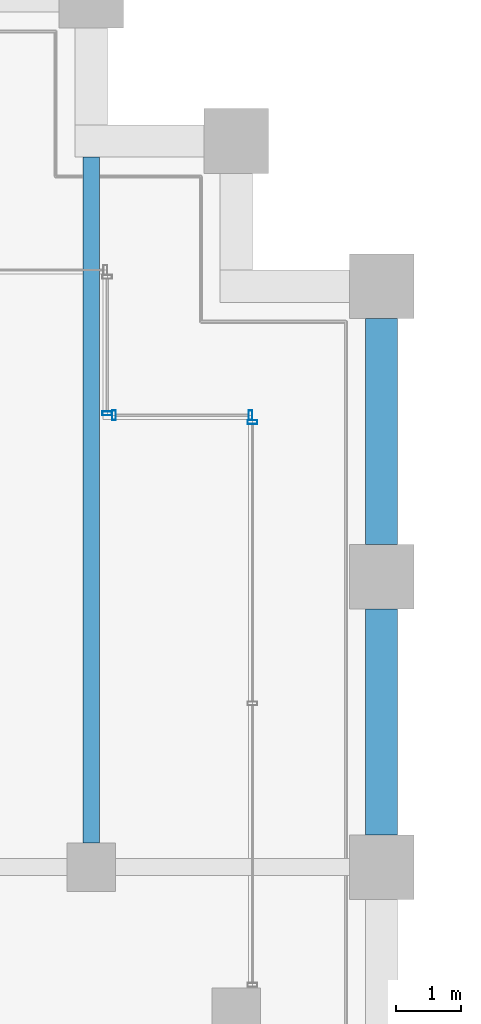
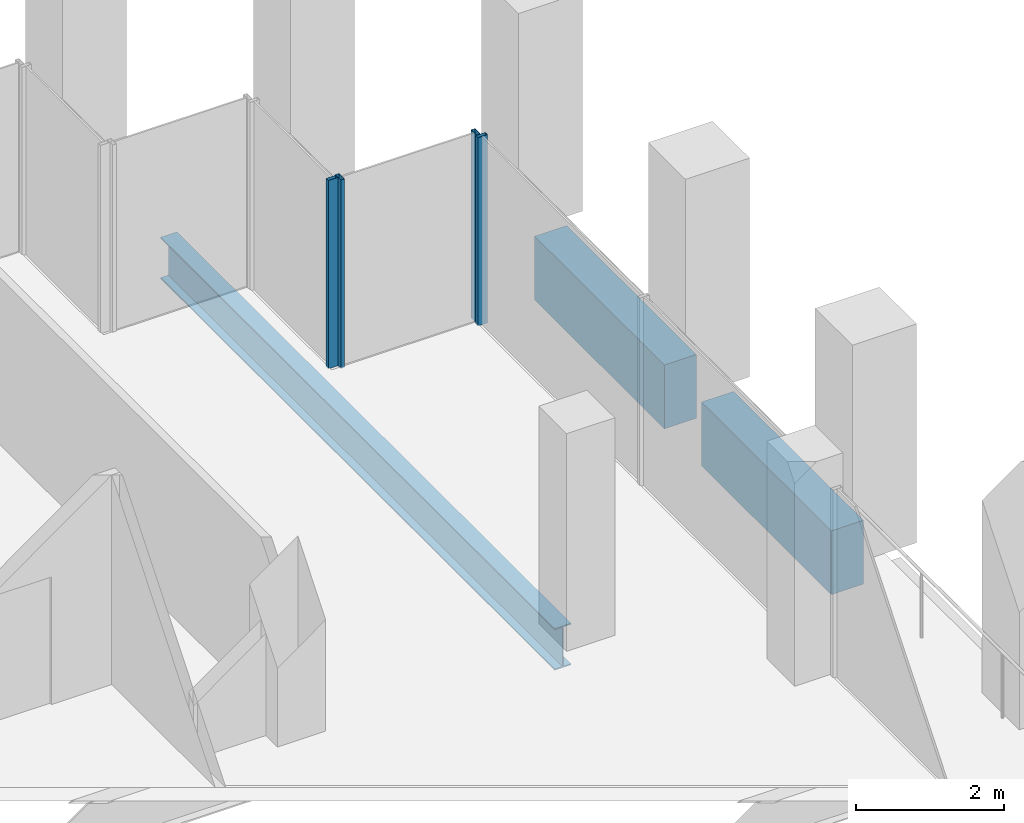
# One storey, part 25 of 46: 4 members, 3 beams, 3 elements without a shape of their own.
"""IFC4 building model written with IfcOpenShell, lengths in metres."""

from ifc_helpers import new_model, si_unit, direction, frame, origin, origin_2d, place, context, subcontext, project, spatial, rectangle, hollow_rectangle, i_section, extrude, material, material_profile, profile_set, type_object, element, aggregate, save


model = new_model("IFC4")

# Units and contexts
model_context = context("Model", 3, precision=1e-05, world=origin(), true_north=direction((0.0, 1.0)))
body_context = subcontext(model_context, "Body", "Model", "MODEL_VIEW")
ifc_project = project(units=[si_unit("LENGTHUNIT", "METRE"), si_unit("AREAUNIT", "SQUARE_METRE"), si_unit("VOLUMEUNIT", "CUBIC_METRE"), si_unit("PLANEANGLEUNIT", "RADIAN"), si_unit("MASSUNIT", "GRAM", prefix="KILO")], contexts=[model_context])

# Site, building, storey
site_placement = place(None, origin())
site = spatial("IfcSite", under=ifc_project, at=site_placement, CompositionType="ELEMENT")
building_placement = place(site_placement, origin())
building = spatial("IfcBuilding", under=site, at=building_placement, Name="Altepetl Exchange Towers", CompositionType="ELEMENT")
storey_placement = place(building_placement, frame((0.0, 0.0, 128.0)))
storey = spatial("IfcBuildingStorey", under=building, at=storey_placement, Name="L31", CompositionType="ELEMENT", Elevation=128.0)

# Beam
ifc_material_1 = material(Name="Steel S355", Category="steel")
ifc_material_profile_1 = material_profile(ifc_material_1, i_section(OverallWidth=0.25390625, OverallDepth=0.68408203125, WebThickness=0.012451171875, FlangeThickness=0.018798828125, at=origin_2d()), Name="W27X94")
ifc_profile_set_1 = profile_set([ifc_material_profile_1], Name="Steel S355")
beam_type_1 = type_object("IfcBeamType", Name="Floor beam W27X94", PredefinedType="BEAM", material=ifc_profile_set_1)
beam_placement = place(storey_placement, frame((67.5, 58.875, -0.491943359375), z_axis=(0.0, 1.0, 0.0), x_axis=(-1.0, 0.0, 0.0)))
element("IfcBeam", 1, at=beam_placement, inside=storey, type_object=beam_type_1, Name="bm:A:L31:005", PredefinedType="BEAM", context=body_context, shape_type="SweptSolid", body=[
    extrude(i_section(OverallWidth=0.25390625, OverallDepth=0.68408203125, WebThickness=0.012451171875, FlangeThickness=0.018798828125, at=origin_2d()), origin(), (0.0, 0.0, 1.0), 10.625),
])

# Curtain wall, member
ifc_material_2 = material(Name="Aluminium 6063-T6 glazing", Category="aluminium")
curtain_wall_type = type_object("IfcCurtainWallType", Name="Loggia glazing system", PredefinedType="NOTDEFINED", material=ifc_material_2)
curtain_wall_1_placement = place(storey_placement, origin())
curtain_wall_1 = element("IfcCurtainWall", 2, at=curtain_wall_1_placement, inside=storey, type_object=curtain_wall_type, Name="CW1 run", PredefinedType="NOTDEFINED")
ifc_material_3 = material(Name="Aluminium 6063-T6", Category="aluminium")
ifc_material_profile_2 = material_profile(ifc_material_3, hollow_rectangle(XDim=0.06005859375, YDim=0.14990234375, WallThickness=0.0029296875, at=origin_2d()), Name="Mullion 60x150 aluminium")
ifc_profile_set_2 = profile_set([ifc_material_profile_2], Name="Aluminium 6063-T6")
member_type = type_object("IfcMemberType", Name="Mullion 60x150 aluminium", PredefinedType="MULLION", material=ifc_profile_set_2)
member_1_placement = place(storey_placement, frame((70.0, 65.39501953125, 0.0), z_axis=(0.0, 0.0, 1.0), x_axis=(0.0, 1.0, 0.0)))
member_1 = element("IfcMember", 3, at=member_1_placement, type_object=member_type, Name="MU1 mullion", PredefinedType="MULLION", context=body_context, shape_type="SweptSolid", body=[
    extrude(hollow_rectangle(XDim=0.06005859375, YDim=0.14990234375, WallThickness=0.0029296875, at=origin_2d()), origin(), (0.0, 0.0, 1.0), 3.10009765625),
])
aggregate(curtain_wall_1, [member_1])

# Curtain wall, members
curtain_wall_2_placement = place(storey_placement, origin())
curtain_wall_2 = element("IfcCurtainWall", 4, at=curtain_wall_2_placement, inside=storey, type_object=curtain_wall_type, Name="CW1 run", PredefinedType="NOTDEFINED")
member_2_placement = place(storey_placement, frame((69.969970703125, 65.5, 0.0), z_axis=(0.0, 0.0, 1.0), x_axis=(-1.0, 0.0, 0.0)))
member_2 = element("IfcMember", 5, at=member_2_placement, type_object=member_type, Name="MU1 mullion", PredefinedType="MULLION", context=body_context, shape_type="SweptSolid", body=[
    extrude(hollow_rectangle(XDim=0.06005859375, YDim=0.14990234375, WallThickness=0.0029296875, at=origin_2d()), origin(), (0.0, 0.0, 1.0), 3.10009765625),
])
member_3_placement = place(storey_placement, frame((67.85498046875, 65.5, 0.0), z_axis=(0.0, 0.0, 1.0), x_axis=(-1.0, 0.0, 0.0)))
member_3 = element("IfcMember", 6, at=member_3_placement, type_object=member_type, Name="MU1 mullion", PredefinedType="MULLION", context=body_context, shape_type="SweptSolid", body=[
    extrude(hollow_rectangle(XDim=0.06005859375, YDim=0.14990234375, WallThickness=0.0029296875, at=origin_2d()), origin(), (0.0, 0.0, 1.0), 3.10009765625),
])
aggregate(curtain_wall_2, [member_2, member_3])

# Curtain wall, member
curtain_wall_3_placement = place(storey_placement, origin())
curtain_wall_3 = element("IfcCurtainWall", 7, at=curtain_wall_3_placement, inside=storey, type_object=curtain_wall_type, Name="CW1 run", PredefinedType="NOTDEFINED")
member_4_placement = place(storey_placement, frame((67.75, 65.530029296875, 0.0), z_axis=(0.0, 0.0, 1.0), x_axis=(0.0, 1.0, 0.0)))
member_4 = element("IfcMember", 8, at=member_4_placement, type_object=member_type, Name="MU1 mullion", PredefinedType="MULLION", context=body_context, shape_type="SweptSolid", body=[
    extrude(hollow_rectangle(XDim=0.06005859375, YDim=0.14990234375, WallThickness=0.0029296875, at=origin_2d()), origin(), (0.0, 0.0, 1.0), 3.10009765625),
])
aggregate(curtain_wall_3, [member_4])

# Beams
ifc_material_4 = material(Name="Concrete C50/60 precast with cantera rosa facing", Category="concrete")
ifc_material_profile_3 = material_profile(ifc_material_4, rectangle(XDim=0.5, YDim=1.050048828125, at=origin_2d()), Name="500 x 1050")
ifc_profile_set_3 = profile_set([ifc_material_profile_3], Name="Concrete C50/60 precast with cantera rosa facing")
beam_type_2 = type_object("IfcBeamType", Name="Spandrel beam 500x1050 cantera rosa", PredefinedType="SPANDREL", material=ifc_profile_set_3)
for number, where, z_axis, x_axis, name in (
    (9, (72.0, 59.0, -0.675048828125), (0.0, 1.0, 0.0), (-1.0, 0.0, 0.0), "sp:A:L31:018"),
    (10, (72.0, 63.5, -0.675048828125), (0.0, 1.0, 0.0), (-1.0, 0.0, 0.0), "sp:A:L31:019"),
):
    element("IfcBeam", number, at=place(storey_placement, frame(where, z_axis=z_axis, x_axis=x_axis)), inside=storey, type_object=beam_type_2, Name=name, PredefinedType="SPANDREL", context=body_context, shape_type="SweptSolid", body=[
        extrude(rectangle(XDim=0.5, YDim=1.050048828125, at=origin_2d()), origin(), (0.0, 0.0, 1.0), 3.5),
    ])

save(model, "model.ifc")
